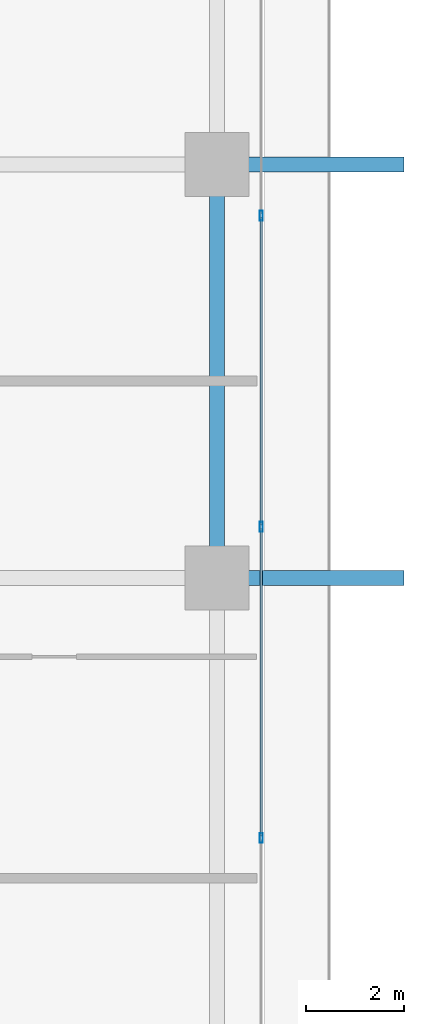
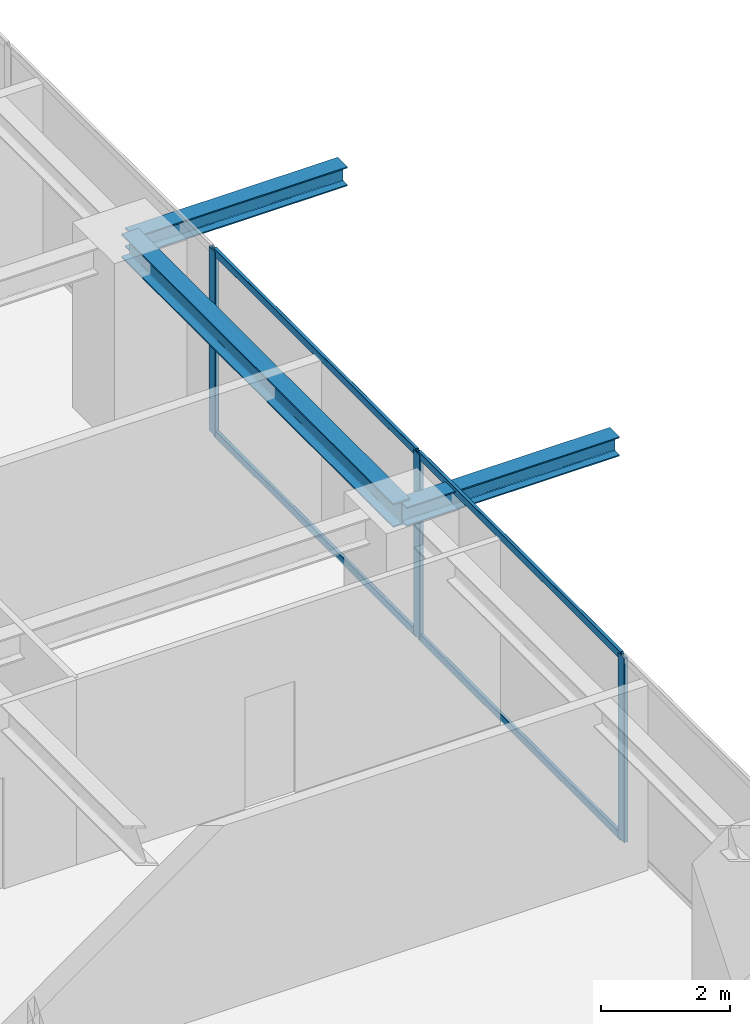
# One storey, part 15 of 34: 7 members, 3 beams, 1 element without a shape of its own.
"""IFC4 building model written with IfcOpenShell, lengths in metres."""

from ifc_helpers import new_model, si_unit, direction, frame, origin, origin_2d, place, context, subcontext, project, spatial, hollow_rectangle, i_section, extrude, source, transform, mapped, material, layer, layer_set, material_profile, profile_set, type_object, element, aggregate, save


model = new_model("IFC4")

# Units and contexts
model_context = context("Model", 3, precision=1e-05, world=origin(), true_north=direction((0.0, 1.0)))
body_context = subcontext(model_context, "Body", "Model", "MODEL_VIEW")
ifc_project = project(units=[si_unit("LENGTHUNIT", "METRE"), si_unit("AREAUNIT", "SQUARE_METRE"), si_unit("VOLUMEUNIT", "CUBIC_METRE"), si_unit("PLANEANGLEUNIT", "RADIAN"), si_unit("MASSUNIT", "GRAM", prefix="KILO")], contexts=[model_context])

# Site, building, storey
site_placement = place(None, origin())
site = spatial("IfcSite", under=ifc_project, at=site_placement, CompositionType="ELEMENT")
building_placement = place(site_placement, origin())
building = spatial("IfcBuilding", under=site, at=building_placement, Name="Serunith Strait Residences", CompositionType="ELEMENT")
storey_placement = place(building_placement, frame((0.0, 0.0, 142.64990234375)))
storey = spatial("IfcBuildingStorey", under=building, at=storey_placement, Name="L35", CompositionType="ELEMENT", Elevation=142.64990234375)

# Beams
ifc_material_1 = material(Name="Steel S355J2", Category="steel")
ifc_material_profile_1 = material_profile(ifc_material_1, i_section(OverallWidth=0.300048828125, OverallDepth=0.449951171875, WebThickness=0.013916015625, FlangeThickness=0.02587890625, FilletRadius=0.027099609375, at=origin_2d()), Name="HEB 450")
ifc_profile_set_1 = profile_set([ifc_material_profile_1], Name="Steel S355J2")
beam_type_1 = type_object("IfcBeamType", Name="BM-HEB450", PredefinedType="BEAM", material=ifc_profile_set_1)
shared_shape_1 = source(origin(), body_context, "Body", "SweptSolid", [
    extrude(i_section(OverallWidth=0.300048828125, OverallDepth=0.449951171875, WebThickness=0.013916015625, FlangeThickness=0.02587890625, FilletRadius=0.027099609375, at=origin_2d()), origin(), (0.0, 0.0, 1.0), 8.39990234375),
])
beam_placement = place(storey_placement, frame((56.10009765625, 21.0, 3.26220703125), z_axis=(0.0, 1.0, 0.0), x_axis=(-1.0, 0.0, 0.0)))
element("IfcBeam", 1, at=beam_placement, inside=storey, type_object=beam_type_1, Name="L35 Perimeter Ring Beam 06", PredefinedType="BEAM", context=body_context, shape_type="MappedRepresentation", body=[
    mapped(shared_shape_1, transform((0.0, 0.0, 0.0), scale=1.0)),
])
ifc_material_profile_2 = material_profile(ifc_material_1, i_section(OverallWidth=0.300048828125, OverallDepth=0.360107421875, WebThickness=0.012451171875, FlangeThickness=0.0224609375, FilletRadius=0.027099609375, at=origin_2d()), Name="HEB 360")
ifc_profile_set_2 = profile_set([ifc_material_profile_2], Name="Steel S355J2")
beam_type_2 = type_object("IfcBeamType", Name="BM-HEB360", PredefinedType="BEAM", material=ifc_profile_set_2)
shared_shape_2 = source(origin(), body_context, "Body", "SweptSolid", [
    extrude(i_section(OverallWidth=0.300048828125, OverallDepth=0.360107421875, WebThickness=0.012451171875, FlangeThickness=0.0224609375, FilletRadius=0.027099609375, at=origin_2d()), origin(), (0.0, 0.0, 1.0), 3.7998046875),
])
for number, where, z_axis, x_axis, name in (
    (2, (56.10009765625, 21.0, 3.277099609375), (1.0, 0.0, 0.0), (0.0, 1.0, 0.0), "L36 Cantilevered Balcony Rib TC-E2"),
    (3, (56.10009765625, 29.39990234375, 3.277099609375), (1.0, 0.0, 0.0), (0.0, 1.0, 0.0), "L36 Cantilevered Balcony Rib TC-E3"),
):
    element("IfcBeam", number, at=place(storey_placement, frame(where, z_axis=z_axis, x_axis=x_axis)), inside=storey, type_object=beam_type_2, Name=name, PredefinedType="BEAM", context=body_context, shape_type="MappedRepresentation", body=[
        mapped(shared_shape_2, transform((0.0, 0.0, 0.0), scale=1.0)),
    ])

# Curtain wall, members
ifc_material_2 = material(Name="Pale-Champagne Anodised Aluminium", Category="aluminium")
ifc_layer = layer(ifc_material_2, 0.199951171875, Name="Pale-Champagne Anodised Aluminium")
ifc_layer_set = layer_set([ifc_layer], Name="Pale-Champagne Anodised Aluminium")
curtain_wall_type = type_object("IfcCurtainWallType", Name="CW-SYS2", PredefinedType="NOTDEFINED", material=ifc_layer_set)
curtain_wall_placement = place(storey_placement, origin())
curtain_wall = element("IfcCurtainWall", 4, at=curtain_wall_placement, inside=storey, type_object=curtain_wall_type, Name="L35 E Unitised Fritted Curtain Wall", PredefinedType="NOTDEFINED")
ifc_material_profile_3 = material_profile(ifc_material_2, hollow_rectangle(XDim=0.070068359375, YDim=0.199951171875, WallThickness=0.00390625, InnerFilletRadius=0.006103515625, OuterFilletRadius=0.010009765625, at=origin_2d()), Name="ALU 200x70x4")
ifc_profile_set_3 = profile_set([ifc_material_profile_3], Name="Pale-Champagne Anodised Aluminium")
member_type_1 = type_object("IfcMemberType", Name="CW-SYS2-MULL", PredefinedType="MULLION", material=ifc_profile_set_3)
shared_shape_3 = source(origin(), body_context, "Body", "SweptSolid", [
    extrude(hollow_rectangle(XDim=0.070068359375, YDim=0.199951171875, WallThickness=0.00390625, InnerFilletRadius=0.006103515625, OuterFilletRadius=0.010009765625, at=origin_2d()), origin(), (0.0, 0.0, 1.0), 3.47509765625),
])
member_1_placement = place(storey_placement, frame((57.0, 15.719970703125, 0.0), z_axis=(0.0, 0.0, 1.0), x_axis=(-1.0, 0.0, 0.0)))
member_1 = element("IfcMember", 5, at=member_1_placement, type_object=member_type_1, Name="CW-2 mullion 2", PredefinedType="MULLION", context=body_context, shape_type="MappedRepresentation", body=[
    mapped(shared_shape_3, transform((0.0, 0.0, 0.0), scale=1.0)),
])
member_2_placement = place(storey_placement, frame((57.0, 22.0400390625, 0.0), z_axis=(0.0, 0.0, 1.0), x_axis=(-1.0, 0.0, 0.0)))
member_2 = element("IfcMember", 6, at=member_2_placement, type_object=member_type_1, Name="CW-2 mullion 3", PredefinedType="MULLION", context=body_context, shape_type="MappedRepresentation", body=[
    mapped(shared_shape_3, transform((0.0, 0.0, 0.0), scale=1.0)),
])
member_3_placement = place(storey_placement, frame((57.0, 28.360107421875, 0.0), z_axis=(0.0, 0.0, 1.0), x_axis=(-1.0, 0.0, 0.0)))
member_3 = element("IfcMember", 7, at=member_3_placement, type_object=member_type_1, Name="CW-2 mullion 4", PredefinedType="MULLION", context=body_context, shape_type="MappedRepresentation", body=[
    mapped(shared_shape_3, transform((0.0, 0.0, 0.0), scale=1.0)),
])
ifc_material_profile_4 = material_profile(ifc_material_2, hollow_rectangle(XDim=0.06005859375, YDim=0.139892578125, WallThickness=0.00341796875, InnerFilletRadius=0.00537109375, OuterFilletRadius=0.0087890625, at=origin_2d()), Name="ALU 140x60x3.5")
ifc_profile_set_4 = profile_set([ifc_material_profile_4], Name="Pale-Champagne Anodised Aluminium")
member_type_2 = type_object("IfcMemberType", Name="CW-SYS2-TRAN", PredefinedType="USERDEFINED", material=ifc_profile_set_4)
shared_shape_4 = source(origin(), body_context, "Body", "SweptSolid", [
    extrude(hollow_rectangle(XDim=0.06005859375, YDim=0.139892578125, WallThickness=0.00341796875, InnerFilletRadius=0.00537109375, OuterFilletRadius=0.0087890625, at=origin_2d()), origin(), (0.0, 0.0, 1.0), 6.25),
])
member_4_placement = place(storey_placement, frame((57.0, 15.7548828125, 0.030029296875), z_axis=(0.0, 1.0, 0.0), x_axis=(-1.0, 0.0, 0.0)))
member_4 = element("IfcMember", 8, at=member_4_placement, type_object=member_type_2, Name="CW-2 transom 2.1", ObjectType="TRANSOM", PredefinedType="USERDEFINED", context=body_context, shape_type="MappedRepresentation", body=[
    mapped(shared_shape_4, transform((0.0, 0.0, 0.0), scale=1.0)),
])
member_5_placement = place(storey_placement, frame((57.0, 15.7548828125, 3.445068359375), z_axis=(0.0, 1.0, 0.0), x_axis=(-1.0, 0.0, 0.0)))
member_5 = element("IfcMember", 9, at=member_5_placement, type_object=member_type_2, Name="CW-2 transom 2.2", ObjectType="TRANSOM", PredefinedType="USERDEFINED", context=body_context, shape_type="MappedRepresentation", body=[
    mapped(shared_shape_4, transform((0.0, 0.0, 0.0), scale=1.0)),
])
member_6_placement = place(storey_placement, frame((57.0, 22.074951171875, 0.030029296875), z_axis=(0.0, 1.0, 0.0), x_axis=(-1.0, 0.0, 0.0)))
member_6 = element("IfcMember", 10, at=member_6_placement, type_object=member_type_2, Name="CW-2 transom 3.1", ObjectType="TRANSOM", PredefinedType="USERDEFINED", context=body_context, shape_type="MappedRepresentation", body=[
    mapped(shared_shape_4, transform((0.0, 0.0, 0.0), scale=1.0)),
])
member_7_placement = place(storey_placement, frame((57.0, 22.074951171875, 3.445068359375), z_axis=(0.0, 1.0, 0.0), x_axis=(-1.0, 0.0, 0.0)))
member_7 = element("IfcMember", 11, at=member_7_placement, type_object=member_type_2, Name="CW-2 transom 3.2", ObjectType="TRANSOM", PredefinedType="USERDEFINED", context=body_context, shape_type="MappedRepresentation", body=[
    mapped(shared_shape_4, transform((0.0, 0.0, 0.0), scale=1.0)),
])
aggregate(curtain_wall, [member_1, member_2, member_3, member_4, member_5, member_6, member_7])

save(model, "model.ifc")
